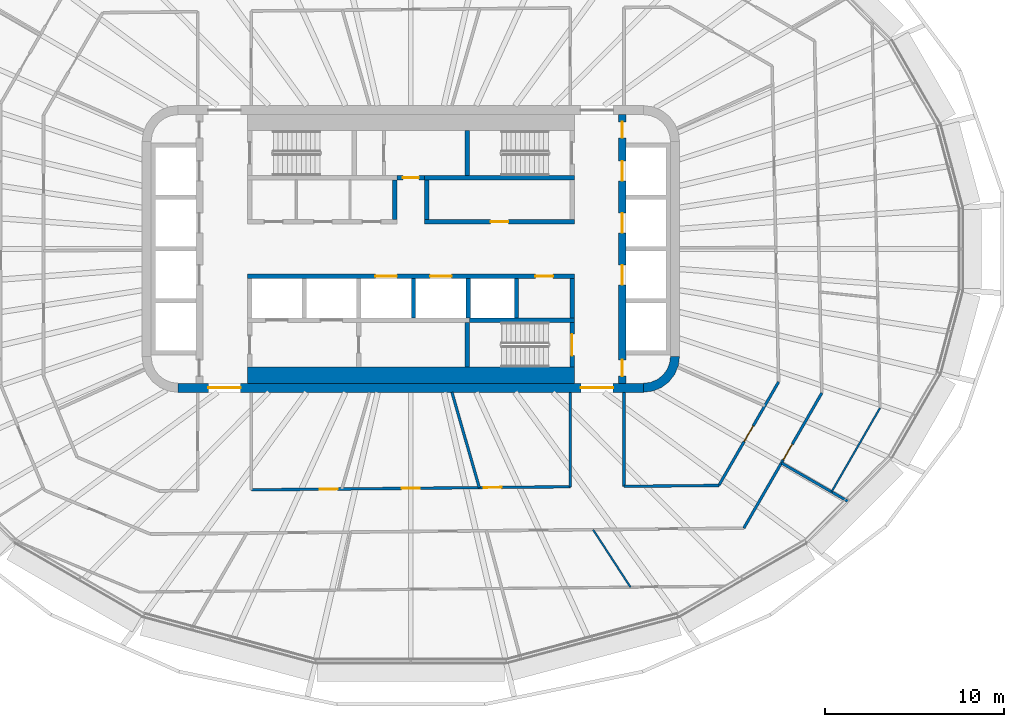
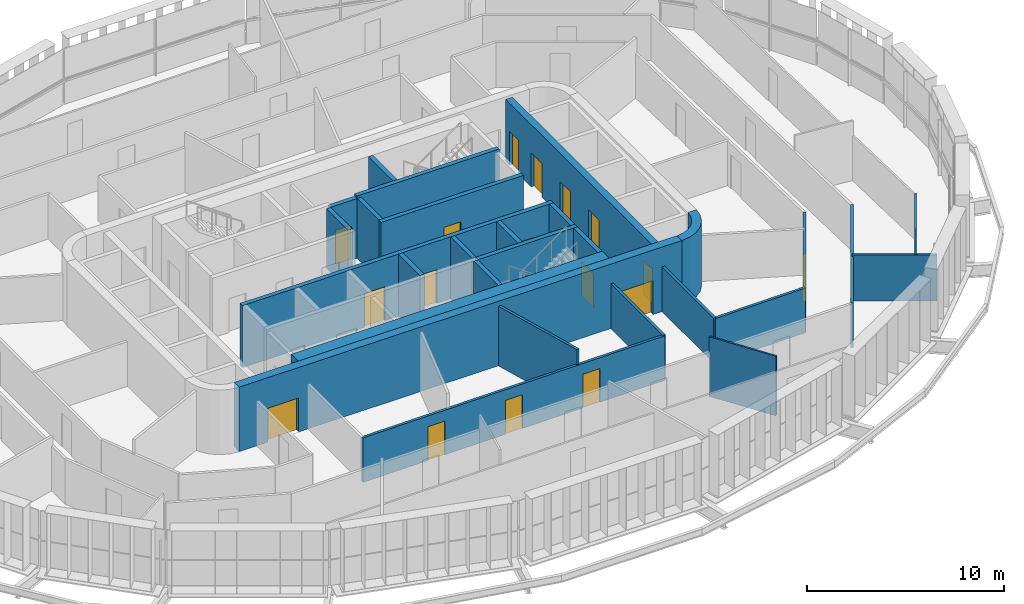
# One storey, part 12 of 22: 28 walls, 18 doors, 18 openings.
"""IFC4 building model written with IfcOpenShell, lengths in metres."""

from ifc_helpers import new_model, si_unit, direction, frame, frame_2d, origin, place, context, subcontext, project, spatial, polyline, rectangle, outline, extrude, material, layer, layer_set, type_object, element, fill, save


model = new_model("IFC4")

# Units and contexts
model_context = context("Model", 3, precision=1e-05, world=origin(), true_north=direction((0.0, 1.0)))
body_context = subcontext(model_context, "Body", "Model", "MODEL_VIEW")
ifc_project = project(units=[si_unit("LENGTHUNIT", "METRE"), si_unit("AREAUNIT", "SQUARE_METRE"), si_unit("VOLUMEUNIT", "CUBIC_METRE"), si_unit("PLANEANGLEUNIT", "RADIAN"), si_unit("MASSUNIT", "GRAM", prefix="KILO")], contexts=[model_context])

# Site, building, storey
site_placement = place(None, origin())
site = spatial("IfcSite", under=ifc_project, at=site_placement, CompositionType="ELEMENT")
building_placement = place(site_placement, origin())
building = spatial("IfcBuilding", under=site, at=building_placement, Name="Sahrelin Media Tower", CompositionType="ELEMENT")
storey_placement = place(building_placement, frame((0.0, 0.0, 189.60009765625)))
storey = spatial("IfcBuildingStorey", under=building, at=storey_placement, Name="L40", CompositionType="ELEMENT", Elevation=189.60009765625)

# Wall, openings, doors
ifc_material_1 = material(Name="Concrete C60/75", Category="concrete")
ifc_layer_1 = layer(ifc_material_1, 0.5)
ifc_layer_set_1 = layer_set([ifc_layer_1], Name="Core wall 500")
wall_type_1 = type_object("IfcWallType", Name="Core wall 500", PredefinedType="SHEAR", material=ifc_layer_set_1)
wall_1_placement = place(storey_placement, frame((-13.0, -7.75, 0.0), z_axis=(0.0, 0.0, 1.0), x_axis=(1.0, 0.0, 0.0)))
wall_1 = element("IfcWall", 1, at=wall_1_placement, inside=storey, type_object=wall_type_1, Name="Core wall S L40", PredefinedType="SHEAR", context=body_context, shape_type="SweptSolid", body=[
    extrude(rectangle(XDim=26.0, YDim=0.5, at=frame_2d((13.0, 0.0))), origin(), (0.0, 0.0, 1.0), 4.0),
])
opening_1_placement = place(wall_1_placement, frame((1.699951171875, 0.0, 0.0)))
opening_1 = element("IfcOpeningElement", 2, at=opening_1_placement, cuts=wall_1, Name="Opening L40-D19", PredefinedType="OPENING", context=body_context, shape_type="SweptSolid", body=[
    extrude(rectangle(XDim=1.800048828125, YDim=2.10009765625, at=frame_2d((0.89990234375, 1.050048828125))), frame((0.0, 0.25, 0.0), z_axis=(0.0, -1.0, 0.0), x_axis=(1.0, 0.0, 0.0)), (0.0, 0.0, 1.0), 0.5),
])
opening_2_placement = place(wall_1_placement, frame((22.5, 0.0, 0.0)))
opening_2 = element("IfcOpeningElement", 3, at=opening_2_placement, cuts=wall_1, Name="Opening L40-D20", PredefinedType="OPENING", context=body_context, shape_type="SweptSolid", body=[
    extrude(rectangle(XDim=1.800048828125, YDim=2.10009765625, at=frame_2d((0.89990234375, 1.050048828125))), frame((0.0, 0.25, 0.0), z_axis=(0.0, -1.0, 0.0), x_axis=(1.0, 0.0, 0.0)), (0.0, 0.0, 1.0), 0.5),
])
ifc_material_2 = material(Name="Steel fire door leaf", Category="steel")
door_type_1 = type_object("IfcDoorType", Name="Lobby double door 1800 x 2100 EI 60", OperationType="DOUBLE_DOOR_SINGLE_SWING", PredefinedType="DOOR", material=ifc_material_2)
door_1_placement = place(opening_1_placement, origin())
door_1 = element("IfcDoor", 4, at=door_1_placement, inside=storey, type_object=door_type_1, Name="Lobby door", OperationType="DOUBLE_DOOR_SINGLE_SWING", OverallHeight=2.10009765625, OverallWidth=1.800048828125, PredefinedType="DOOR", context=body_context, shape_type="SweptSolid", body=[
    extrude(rectangle(XDim=1.800048828125, YDim=2.10009765625, at=frame_2d((0.89990234375, 1.050048828125))), frame((0.0, 0.02490234375, 0.0), z_axis=(0.0, -1.0, 0.0), x_axis=(1.0, 0.0, 0.0)), (0.0, 0.0, 1.0), 0.050048828125),
])
fill(opening_1, door_1)
door_2_placement = place(opening_2_placement, origin())
door_2 = element("IfcDoor", 5, at=door_2_placement, inside=storey, type_object=door_type_1, Name="Lobby door", OperationType="DOUBLE_DOOR_SINGLE_SWING", OverallHeight=2.10009765625, OverallWidth=1.800048828125, PredefinedType="DOOR", context=body_context, shape_type="SweptSolid", body=[
    extrude(rectangle(XDim=1.800048828125, YDim=2.10009765625, at=frame_2d((0.89990234375, 1.050048828125))), frame((0.0, 0.02490234375, 0.0), z_axis=(0.0, -1.0, 0.0), x_axis=(1.0, 0.0, 0.0)), (0.0, 0.0, 1.0), 0.050048828125),
])
fill(opening_2, door_2)

# Wall
wall_2_placement = place(storey_placement, origin())
element("IfcWall", 6, at=wall_2_placement, inside=storey, type_object=wall_type_1, Name="Core wall corner SE L40", PredefinedType="SHEAR", context=body_context, shape_type="SweptSolid", body=[
    extrude(outline(polyline([(15.0, -6.0), (14.49560546875, -6.0), (14.44482421875, -6.38720703125), (14.29541015625, -6.747802734375), (14.0576171875, -7.0576171875), (13.747802734375, -7.29541015625), (13.38720703125, -7.44482421875), (13.0, -7.49560546875), (13.0, -8.0), (13.517578125, -7.931884765625), (14.0, -7.732177734375), (14.414306640625, -7.414306640625), (14.732177734375, -7.0), (14.931884765625, -6.517578125), (15.0, -6.0)])), origin(), (0.0, 0.0, 1.0), 4.0),
])

# Wall, opening, door
ifc_material_3 = material(Name="Fire-rated gypsum board partition")
ifc_layer_2 = layer(ifc_material_3, 0.25)
ifc_layer_set_2 = layer_set([ifc_layer_2], Name="Fire-rated lobby wall 250")
wall_type_2 = type_object("IfcWallType", Name="Fire-rated lobby wall 250", PredefinedType="PARTITIONING", material=ifc_layer_set_2)
wall_3_placement = place(storey_placement, frame((-0.77490234375, 3.97509765625, 0.0), z_axis=(0.0, 0.0, 1.0), x_axis=(1.0, 0.0, 0.0)))
wall_3 = element("IfcWall", 7, at=wall_3_placement, inside=storey, type_object=wall_type_2, Name="Core lobby wall", PredefinedType="PARTITIONING", context=body_context, shape_type="SweptSolid", body=[
    extrude(rectangle(XDim=1.5498046875, YDim=0.25, at=frame_2d((0.77490234375, 0.0))), origin(), (0.0, 0.0, 1.0), 3.699951171875),
])
opening_3_placement = place(wall_3_placement, frame((0.324951171875, 0.0, 0.0)))
opening_3 = element("IfcOpeningElement", 8, at=opening_3_placement, cuts=wall_3, Name="Opening L40-D06", PredefinedType="OPENING", context=body_context, shape_type="SweptSolid", body=[
    extrude(rectangle(XDim=0.89990234375, YDim=2.10009765625, at=frame_2d((0.449951171875, 1.050048828125))), frame((0.0, 0.125, 0.0), z_axis=(0.0, -1.0, 0.0), x_axis=(1.0, 0.0, 0.0)), (0.0, 0.0, 1.0), 0.25),
])
door_type_2 = type_object("IfcDoorType", Name="Riser door 900 x 2100 EI 120", OperationType="NOTDEFINED", PredefinedType="DOOR", material=ifc_material_2)
door_3_placement = place(opening_3_placement, origin())
door_3 = element("IfcDoor", 9, at=door_3_placement, inside=storey, type_object=door_type_2, Name="Core room door", OperationType="SINGLE_SWING_LEFT", OverallHeight=2.10009765625, OverallWidth=0.89990234375, PredefinedType="DOOR", context=body_context, shape_type="SweptSolid", body=[
    extrude(rectangle(XDim=0.89990234375, YDim=2.10009765625, at=frame_2d((0.449951171875, 1.050048828125))), frame((0.0, 0.02490234375, 0.0), z_axis=(0.0, -1.0, 0.0), x_axis=(1.0, 0.0, 0.0)), (0.0, 0.0, 1.0), 0.050048828125),
])
fill(opening_3, door_3)

wall_4_placement = place(storey_placement, frame((0.77490234375, 1.52490234375, 0.0), z_axis=(0.0, 0.0, 1.0), x_axis=(1.0, 0.0, 0.0)))
wall_4 = element("IfcWall", 10, at=wall_4_placement, inside=storey, type_object=wall_type_2, Name="Core lobby wall", PredefinedType="PARTITIONING", context=body_context, shape_type="SweptSolid", body=[
    extrude(rectangle(XDim=8.35009765625, YDim=0.25, at=frame_2d((4.175048828125, 0.0))), origin(), (0.0, 0.0, 1.0), 3.699951171875),
])
opening_4_placement = place(wall_4_placement, frame((3.675048828125, 0.0, 0.0)))
opening_4 = element("IfcOpeningElement", 11, at=opening_4_placement, cuts=wall_4, Name="Opening L40-D11", PredefinedType="OPENING", context=body_context, shape_type="SweptSolid", body=[
    extrude(rectangle(XDim=1.0, YDim=2.10009765625, at=frame_2d((0.5, 1.050048828125))), frame((0.0, 0.125, 0.0), z_axis=(0.0, -1.0, 0.0), x_axis=(1.0, 0.0, 0.0)), (0.0, 0.0, 1.0), 0.25),
])
door_type_3 = type_object("IfcDoorType", Name="Fire door 1000 x 2100 EI 60", OperationType="NOTDEFINED", PredefinedType="DOOR", material=ifc_material_2)
door_4_placement = place(opening_4_placement, origin())
door_4 = element("IfcDoor", 12, at=door_4_placement, inside=storey, type_object=door_type_3, Name="Core room door", OperationType="SINGLE_SWING_LEFT", OverallHeight=2.10009765625, OverallWidth=1.0, PredefinedType="DOOR", context=body_context, shape_type="SweptSolid", body=[
    extrude(rectangle(XDim=1.0, YDim=2.10009765625, at=frame_2d((0.5, 1.050048828125))), frame((0.0, 0.02490234375, 0.0), z_axis=(0.0, -1.0, 0.0), x_axis=(1.0, 0.0, 0.0)), (0.0, 0.0, 1.0), 0.050048828125),
])
fill(opening_4, door_4)

# Walls
for number, where, z_axis, x_axis, name in (
    (13, (-0.89990234375, 1.64990234375, 0.0), (0.0, 0.0, 1.0), (0.0, 1.0, 0.0), "Core lobby wall"),
    (14, (0.89990234375, 1.64990234375, 0.0), (0.0, 0.0, 1.0), (0.0, 1.0, 0.0), "Core lobby wall"),
):
    element("IfcWall", number, at=place(storey_placement, frame(where, z_axis=z_axis, x_axis=x_axis)), inside=storey, type_object=wall_type_2, Name=name, PredefinedType="PARTITIONING", context=body_context, shape_type="SweptSolid", body=[
        extrude(rectangle(XDim=2.2001953125, YDim=0.25, at=frame_2d((1.10009765625, 0.0))), origin(), (0.0, 0.0, 1.0), 3.699951171875),
    ])
ifc_layer_3 = layer(ifc_material_3, 0.14990234375)
ifc_layer_set_3 = layer_set([ifc_layer_3], Name="Fire-rated partition 150")
wall_type_3 = type_object("IfcWallType", Name="Fire-rated partition 150", PredefinedType="PARTITIONING", material=ifc_layer_set_3)
wall_5_placement = place(storey_placement, frame((2.2958984375, -8.0, 0.0), z_axis=(0.0, 0.0, 1.0), x_axis=(0.275935525478, -0.961176147113, 0.0)))
element("IfcWall", 15, at=wall_5_placement, inside=storey, type_object=wall_type_3, Name="Wall", PredefinedType="PARTITIONING", context=body_context, shape_type="SweptSolid", body=[
    extrude(rectangle(XDim=5.54833984375, YDim=0.14990234375, at=frame_2d((2.774169921875, 0.0))), origin(), (0.0, 0.0, 1.0), 3.699951171875),
])
wall_6_placement = place(storey_placement, frame((20.68994140625, -11.945068359375, 0.0), z_axis=(0.0, 0.0, 1.0), x_axis=(0.866048255864, -0.499960416948, 0.0)))
element("IfcWall", 16, at=wall_6_placement, inside=storey, type_object=wall_type_3, Name="Wall", PredefinedType="PARTITIONING", context=body_context, shape_type="SweptSolid", body=[
    extrude(rectangle(XDim=4.322021484375, YDim=0.14990234375, at=frame_2d((2.1611328125, 0.0))), origin(), (0.0, 0.0, 1.0), 2.844970703125),
])

# Wall, openings, doors
wall_7_placement = place(storey_placement, frame((-8.89990234375, -13.448974609375, 0.0), z_axis=(0.0, 0.0, 1.0), x_axis=(0.999951241216, 0.009874977968, 0.0)))
wall_7 = element("IfcWall", 17, at=wall_7_placement, inside=storey, type_object=wall_type_3, Name="Wall", PredefinedType="PARTITIONING", context=body_context, shape_type="SweptSolid", body=[
    extrude(rectangle(XDim=17.80078125, YDim=0.14990234375, at=frame_2d((8.900390625, 0.0))), origin(), (0.0, 0.0, 1.0), 2.76806640625),
])
opening_5_placement = place(wall_7_placement, frame((3.8173828125, 0.0, 0.0)))
opening_5 = element("IfcOpeningElement", 18, at=opening_5_placement, cuts=wall_7, Name="Opening L40-D21", PredefinedType="OPENING", context=body_context, shape_type="SweptSolid", body=[
    extrude(rectangle(XDim=1.0, YDim=2.10009765625, at=frame_2d((0.5, 1.050048828125))), frame((0.0, 0.074951171875, 0.0), z_axis=(0.0, -1.0, 0.0), x_axis=(1.0, 0.0, 0.0)), (0.0, 0.0, 1.0), 0.14990234375),
])
opening_6_placement = place(wall_7_placement, frame((8.39013671875, 0.0, 0.0)))
opening_6 = element("IfcOpeningElement", 19, at=opening_6_placement, cuts=wall_7, Name="Opening L40-D22", PredefinedType="OPENING", context=body_context, shape_type="SweptSolid", body=[
    extrude(rectangle(XDim=1.0, YDim=2.10009765625, at=frame_2d((0.5, 1.050048828125))), frame((0.0, 0.074951171875, 0.0), z_axis=(0.0, -1.0, 0.0), x_axis=(1.0, 0.0, 0.0)), (0.0, 0.0, 1.0), 0.14990234375),
])
opening_7_placement = place(wall_7_placement, frame((12.97412109375, 0.0, 0.0)))
opening_7 = element("IfcOpeningElement", 20, at=opening_7_placement, cuts=wall_7, Name="Opening L40-D23", PredefinedType="OPENING", context=body_context, shape_type="SweptSolid", body=[
    extrude(rectangle(XDim=1.0, YDim=2.10009765625, at=frame_2d((0.5, 1.050048828125))), frame((0.0, 0.074951171875, 0.0), z_axis=(0.0, -1.0, 0.0), x_axis=(1.0, 0.0, 0.0)), (0.0, 0.0, 1.0), 0.14990234375),
])
door_5_placement = place(opening_5_placement, origin())
door_5 = element("IfcDoor", 21, at=door_5_placement, inside=storey, type_object=door_type_3, Name="Fire door", OperationType="SINGLE_SWING_RIGHT", OverallHeight=2.10009765625, OverallWidth=1.0, PredefinedType="DOOR", context=body_context, shape_type="SweptSolid", body=[
    extrude(rectangle(XDim=1.0, YDim=2.10009765625, at=frame_2d((0.5, 1.050048828125))), frame((0.0, 0.02490234375, 0.0), z_axis=(0.0, -1.0, 0.0), x_axis=(1.0, 0.0, 0.0)), (0.0, 0.0, 1.0), 0.050048828125),
])
fill(opening_5, door_5)
door_6_placement = place(opening_6_placement, origin())
door_6 = element("IfcDoor", 22, at=door_6_placement, inside=storey, type_object=door_type_3, Name="Fire door", OperationType="SINGLE_SWING_RIGHT", OverallHeight=2.10009765625, OverallWidth=1.0, PredefinedType="DOOR", context=body_context, shape_type="SweptSolid", body=[
    extrude(rectangle(XDim=1.0, YDim=2.10009765625, at=frame_2d((0.5, 1.050048828125))), frame((0.0, 0.02490234375, 0.0), z_axis=(0.0, -1.0, 0.0), x_axis=(1.0, 0.0, 0.0)), (0.0, 0.0, 1.0), 0.050048828125),
])
fill(opening_6, door_6)
door_7_placement = place(opening_7_placement, origin())
door_7 = element("IfcDoor", 23, at=door_7_placement, inside=storey, type_object=door_type_3, Name="Fire door", OperationType="SINGLE_SWING_LEFT", OverallHeight=2.10009765625, OverallWidth=1.0, PredefinedType="DOOR", context=body_context, shape_type="SweptSolid", body=[
    extrude(rectangle(XDim=1.0, YDim=2.10009765625, at=frame_2d((0.5, 1.050048828125))), frame((0.0, 0.02490234375, 0.0), z_axis=(0.0, -1.0, 0.0), x_axis=(1.0, 0.0, 0.0)), (0.0, 0.0, 1.0), 0.050048828125),
])
fill(opening_7, door_7)

# Wall
wall_8_placement = place(storey_placement, frame((11.89990234375, -13.2529296875, 0.0), z_axis=(0.0, 0.0, 1.0), x_axis=(0.999951309192, 0.009868092237, 0.0)))
element("IfcWall", 24, at=wall_8_placement, inside=storey, type_object=wall_type_3, Name="Wall", PredefinedType="PARTITIONING", context=body_context, shape_type="SweptSolid", body=[
    extrude(rectangle(XDim=5.29443359375, YDim=0.14990234375, at=frame_2d((2.647216796875, 0.0))), origin(), (0.0, 0.0, 1.0), 2.77685546875),
])

# Wall, opening, door
wall_9_placement = place(storey_placement, frame((18.587158203125, -15.587158203125, 0.0), z_axis=(0.0, 0.0, 1.0), x_axis=(0.499960140076, 0.866048415699, 0.0)))
wall_9 = element("IfcWall", 25, at=wall_9_placement, inside=storey, type_object=wall_type_3, Name="Wall", PredefinedType="PARTITIONING", context=body_context, shape_type="SweptSolid", body=[
    extrude(rectangle(XDim=8.713623046875, YDim=0.14990234375, at=frame_2d((4.35693359375, 0.0))), origin(), (0.0, 0.0, 1.0), 2.77685546875),
])
opening_8_placement = place(wall_9_placement, frame((4.40966796875, 0.0, 0.0)))
opening_8 = element("IfcOpeningElement", 26, at=opening_8_placement, cuts=wall_9, Name="Opening L40-D35", PredefinedType="OPENING", context=body_context, shape_type="SweptSolid", body=[
    extrude(rectangle(XDim=1.0, YDim=2.10009765625, at=frame_2d((0.5, 1.050048828125))), frame((0.0, 0.074951171875, 0.0), z_axis=(0.0, -1.0, 0.0), x_axis=(1.0, 0.0, 0.0)), (0.0, 0.0, 1.0), 0.14990234375),
])
door_8_placement = place(opening_8_placement, origin())
door_8 = element("IfcDoor", 27, at=door_8_placement, inside=storey, type_object=door_type_3, Name="Fire door", OperationType="SINGLE_SWING_LEFT", OverallHeight=2.10009765625, OverallWidth=1.0, PredefinedType="DOOR", context=body_context, shape_type="SweptSolid", body=[
    extrude(rectangle(XDim=1.0, YDim=2.10009765625, at=frame_2d((0.5, 1.050048828125))), frame((0.0, 0.02490234375, 0.0), z_axis=(0.0, -1.0, 0.0), x_axis=(1.0, 0.0, 0.0)), (0.0, 0.0, 1.0), 0.050048828125),
])
fill(opening_8, door_8)

wall_10_placement = place(storey_placement, frame((17.194091796875, -13.200927734375, 0.0), z_axis=(0.0, 0.0, 1.0), x_axis=(0.499955744085, 0.866050953441, 0.0)))
wall_10 = element("IfcWall", 28, at=wall_10_placement, inside=storey, type_object=wall_type_3, Name="Wall", PredefinedType="PARTITIONING", context=body_context, shape_type="SweptSolid", body=[
    extrude(rectangle(XDim=6.67333984375, YDim=0.14990234375, at=frame_2d((3.336669921875, 0.0))), origin(), (0.0, 0.0, 1.0), 2.77685546875),
])
opening_9_placement = place(wall_10_placement, frame((2.834716796875, 0.0, 0.0)))
opening_9 = element("IfcOpeningElement", 29, at=opening_9_placement, cuts=wall_10, Name="Opening L40-D24", PredefinedType="OPENING", context=body_context, shape_type="SweptSolid", body=[
    extrude(rectangle(XDim=1.0, YDim=2.10009765625, at=frame_2d((0.5, 1.050048828125))), frame((0.0, 0.074951171875, 0.0), z_axis=(0.0, -1.0, 0.0), x_axis=(1.0, 0.0, 0.0)), (0.0, 0.0, 1.0), 0.14990234375),
])
door_9_placement = place(opening_9_placement, origin())
door_9 = element("IfcDoor", 30, at=door_9_placement, inside=storey, type_object=door_type_3, Name="Fire door", OperationType="SINGLE_SWING_RIGHT", OverallHeight=2.10009765625, OverallWidth=1.0, PredefinedType="DOOR", context=body_context, shape_type="SweptSolid", body=[
    extrude(rectangle(XDim=1.0, YDim=2.10009765625, at=frame_2d((0.5, 1.050048828125))), frame((0.0, 0.02490234375, 0.0), z_axis=(0.0, -1.0, 0.0), x_axis=(1.0, 0.0, 0.0)), (0.0, 0.0, 1.0), 0.050048828125),
])
fill(opening_9, door_9)

# Walls
wall_11_placement = place(storey_placement, frame((11.89990234375, -13.2529296875, 0.0), z_axis=(0.0, 0.0, 1.0), x_axis=(0.0, 1.0, 0.0)))
element("IfcWall", 31, at=wall_11_placement, inside=storey, type_object=wall_type_3, Name="Wall", PredefinedType="PARTITIONING", context=body_context, shape_type="SweptSolid", body=[
    extrude(rectangle(XDim=5.2529296875, YDim=0.14990234375, at=frame_2d((2.62646484375, 0.0))), origin(), (0.0, 0.0, 1.0), 2.77685546875),
])
wall_12_placement = place(storey_placement, frame((8.89990234375, -13.282958984375, 0.0), z_axis=(0.0, 0.0, 1.0), x_axis=(0.0, 1.0, 0.0)))
element("IfcWall", 32, at=wall_12_placement, inside=storey, type_object=wall_type_3, Name="Wall", PredefinedType="PARTITIONING", context=body_context, shape_type="SweptSolid", body=[
    extrude(rectangle(XDim=5.282958984375, YDim=0.14990234375, at=frame_2d((2.6416015625, 0.0))), origin(), (0.0, 0.0, 1.0), 2.77685546875),
])

# Wall, openings, doors
ifc_layer_4 = layer(ifc_material_1, 0.25)
ifc_layer_set_4 = layer_set([ifc_layer_4], Name="Lift shaft wall 250")
wall_type_4 = type_object("IfcWallType", Name="Lift shaft wall 250", PredefinedType="SOLIDWALL", material=ifc_layer_set_4)
wall_13_placement = place(storey_placement, frame((-9.125, -1.52490234375, 0.0), z_axis=(0.0, 0.0, 1.0), x_axis=(1.0, 0.0, 0.0)))
wall_13 = element("IfcWall", 33, at=wall_13_placement, inside=storey, type_object=wall_type_4, Name="Lift shaft wall", PredefinedType="SOLIDWALL", context=body_context, shape_type="SweptSolid", body=[
    extrude(rectangle(XDim=18.25, YDim=0.25, at=frame_2d((9.125, 0.0))), origin(), (0.0, 0.0, 1.0), 3.849853515625),
])
opening_10_placement = place(wall_13_placement, frame((7.14990234375, 0.0, 0.0)))
opening_10 = element("IfcOpeningElement", 34, at=opening_10_placement, cuts=wall_13, Name="Opening L40-LD-SV1", PredefinedType="OPENING", context=body_context, shape_type="SweptSolid", body=[
    extrude(rectangle(XDim=1.199951171875, YDim=2.10009765625, at=frame_2d((0.60009765625, 1.050048828125))), frame((0.0, 0.125, 0.0), z_axis=(0.0, -1.0, 0.0), x_axis=(1.0, 0.0, 0.0)), (0.0, 0.0, 1.0), 0.25),
])
opening_11_placement = place(wall_13_placement, frame((10.199951171875, 0.0, 0.0)))
opening_11 = element("IfcOpeningElement", 35, at=opening_11_placement, cuts=wall_13, Name="Opening L40-LD-SV2", PredefinedType="OPENING", context=body_context, shape_type="SweptSolid", body=[
    extrude(rectangle(XDim=1.199951171875, YDim=2.10009765625, at=frame_2d((0.60009765625, 1.050048828125))), frame((0.0, 0.125, 0.0), z_axis=(0.0, -1.0, 0.0), x_axis=(1.0, 0.0, 0.0)), (0.0, 0.0, 1.0), 0.25),
])
opening_12_placement = place(wall_13_placement, frame((16.074951171875, 0.0, 0.0)))
opening_12 = element("IfcOpeningElement", 36, at=opening_12_placement, cuts=wall_13, Name="Opening L40-D12", PredefinedType="OPENING", context=body_context, shape_type="SweptSolid", body=[
    extrude(rectangle(XDim=1.0, YDim=2.10009765625, at=frame_2d((0.5, 1.050048828125))), frame((0.0, 0.125, 0.0), z_axis=(0.0, -1.0, 0.0), x_axis=(1.0, 0.0, 0.0)), (0.0, 0.0, 1.0), 0.25),
])
door_10_placement = place(opening_12_placement, origin())
door_10 = element("IfcDoor", 37, at=door_10_placement, inside=storey, type_object=door_type_3, Name="Core room door", OperationType="SINGLE_SWING_RIGHT", OverallHeight=2.10009765625, OverallWidth=1.0, PredefinedType="DOOR", context=body_context, shape_type="SweptSolid", body=[
    extrude(rectangle(XDim=1.0, YDim=2.10009765625, at=frame_2d((0.5, 1.050048828125))), frame((0.0, 0.02490234375, 0.0), z_axis=(0.0, -1.0, 0.0), x_axis=(1.0, 0.0, 0.0)), (0.0, 0.0, 1.0), 0.050048828125),
])
fill(opening_12, door_10)
ifc_material_4 = material(Name="Stainless steel", Category="steel")
door_type_4 = type_object("IfcDoorType", Name="Lift landing door 1200 x 2100 EI 120", OperationType="DOUBLE_DOOR_SLIDING", PredefinedType="DOOR", material=ifc_material_4)
door_11_placement = place(opening_10_placement, origin())
door_11 = element("IfcDoor", 38, at=door_11_placement, inside=storey, type_object=door_type_4, Name="Lift landing door SV1", OperationType="DOUBLE_DOOR_SLIDING", OverallHeight=2.10009765625, OverallWidth=1.199951171875, PredefinedType="DOOR", context=body_context, shape_type="SweptSolid", body=[
    extrude(rectangle(XDim=1.199951171875, YDim=2.10009765625, at=frame_2d((0.60009765625, 1.050048828125))), frame((0.0, 0.02490234375, 0.0), z_axis=(0.0, -1.0, 0.0), x_axis=(1.0, 0.0, 0.0)), (0.0, 0.0, 1.0), 0.050048828125),
])
fill(opening_10, door_11)
door_12_placement = place(opening_11_placement, origin())
door_12 = element("IfcDoor", 39, at=door_12_placement, inside=storey, type_object=door_type_4, Name="Lift landing door SV2", OperationType="DOUBLE_DOOR_SLIDING", OverallHeight=2.10009765625, OverallWidth=1.199951171875, PredefinedType="DOOR", context=body_context, shape_type="SweptSolid", body=[
    extrude(rectangle(XDim=1.199951171875, YDim=2.10009765625, at=frame_2d((0.60009765625, 1.050048828125))), frame((0.0, 0.02490234375, 0.0), z_axis=(0.0, -1.0, 0.0), x_axis=(1.0, 0.0, 0.0)), (0.0, 0.0, 1.0), 0.050048828125),
])
fill(opening_11, door_12)

# Walls
wall_14_placement = place(storey_placement, frame((3.27490234375, -3.97509765625, 0.0), z_axis=(0.0, 0.0, 1.0), x_axis=(1.0, 0.0, 0.0)))
element("IfcWall", 40, at=wall_14_placement, inside=storey, type_object=wall_type_4, Name="Lift shaft wall", PredefinedType="SOLIDWALL", context=body_context, shape_type="SweptSolid", body=[
    extrude(rectangle(XDim=5.85009765625, YDim=0.25, at=frame_2d((2.925048828125, 0.0))), origin(), (0.0, 0.0, 1.0), 3.849853515625),
])
for number, where, z_axis, x_axis, name in (
    (41, (0.14990234375, -3.85009765625, 0.0), (0.0, 0.0, 1.0), (0.0, 1.0, 0.0), "Lift shaft wall"),
    (42, (3.199951171875, -3.85009765625, 0.0), (0.0, 0.0, 1.0), (0.0, 1.0, 0.0), "Lift shaft wall"),
    (43, (5.89990234375, -3.85009765625, 0.0), (0.0, 0.0, 1.0), (0.0, 1.0, 0.0), "Lift shaft wall"),
    (44, (9.0, -3.85009765625, 0.0), (0.0, 0.0, 1.0), (0.0, 1.0, 0.0), "Lift shaft wall"),
):
    element("IfcWall", number, at=place(storey_placement, frame(where, z_axis=z_axis, x_axis=x_axis)), inside=storey, type_object=wall_type_4, Name=name, PredefinedType="SOLIDWALL", context=body_context, shape_type="SweptSolid", body=[
        extrude(rectangle(XDim=2.2001953125, YDim=0.25, at=frame_2d((1.10009765625, 0.0))), origin(), (0.0, 0.0, 1.0), 3.849853515625),
    ])

# Wall, openings, doors
ifc_layer_5 = layer(ifc_material_1, 0.39990234375)
ifc_layer_set_5 = layer_set([ifc_layer_5], Name="Lift shaft wall 400")
wall_type_5 = type_object("IfcWallType", Name="Lift shaft wall 400", PredefinedType="SOLIDWALL", material=ifc_layer_set_5)
wall_15_placement = place(storey_placement, frame((11.800048828125, -7.5, 0.0), z_axis=(0.0, 0.0, 1.0), x_axis=(0.0, 1.0, 0.0)))
wall_15 = element("IfcWall", 45, at=wall_15_placement, inside=storey, type_object=wall_type_5, Name="Lift shaft wall", PredefinedType="SOLIDWALL", context=body_context, shape_type="SweptSolid", body=[
    extrude(rectangle(XDim=15.0, YDim=0.39990234375, at=frame_2d((7.5, 0.0))), origin(), (0.0, 0.0, 1.0), 3.849853515625),
])
opening_13_placement = place(wall_15_placement, frame((11.300048828125, 0.0, 0.0)))
opening_13 = element("IfcOpeningElement", 46, at=opening_13_placement, cuts=wall_15, Name="Opening L40-LD-LR4", PredefinedType="OPENING", context=body_context, shape_type="SweptSolid", body=[
    extrude(rectangle(XDim=1.10009765625, YDim=2.10009765625, at=frame_2d((0.550048828125, 1.050048828125))), frame((0.0, 0.199951171875, 0.0), z_axis=(0.0, -1.0, 0.0), x_axis=(1.0, 0.0, 0.0)), (0.0, 0.0, 1.0), 0.39990234375),
])
opening_14_placement = place(wall_15_placement, frame((8.39990234375, 0.0, 0.0)))
opening_14 = element("IfcOpeningElement", 47, at=opening_14_placement, cuts=wall_15, Name="Opening L40-LD-LR5", PredefinedType="OPENING", context=body_context, shape_type="SweptSolid", body=[
    extrude(rectangle(XDim=1.10009765625, YDim=2.10009765625, at=frame_2d((0.550048828125, 1.050048828125))), frame((0.0, 0.199951171875, 0.0), z_axis=(0.0, -1.0, 0.0), x_axis=(1.0, 0.0, 0.0)), (0.0, 0.0, 1.0), 0.39990234375),
])
opening_15_placement = place(wall_15_placement, frame((5.5, 0.0, 0.0)))
opening_15 = element("IfcOpeningElement", 48, at=opening_15_placement, cuts=wall_15, Name="Opening L40-LD-LR6", PredefinedType="OPENING", context=body_context, shape_type="SweptSolid", body=[
    extrude(rectangle(XDim=1.10009765625, YDim=2.10009765625, at=frame_2d((0.550048828125, 1.050048828125))), frame((0.0, 0.199951171875, 0.0), z_axis=(0.0, -1.0, 0.0), x_axis=(1.0, 0.0, 0.0)), (0.0, 0.0, 1.0), 0.39990234375),
])
opening_16_placement = place(wall_15_placement, frame((13.696533203125, 0.0, 0.0)))
opening_16 = element("IfcOpeningElement", 49, at=opening_16_placement, cuts=wall_15, Name="Opening L40-D15", PredefinedType="OPENING", context=body_context, shape_type="SweptSolid", body=[
    extrude(rectangle(XDim=0.89990234375, YDim=2.10009765625, at=frame_2d((0.449951171875, 1.050048828125))), frame((0.0, 0.199951171875, 0.0), z_axis=(0.0, -1.0, 0.0), x_axis=(1.0, 0.0, 0.0)), (0.0, 0.0, 1.0), 0.39990234375),
])
opening_17_placement = place(wall_15_placement, frame((0.4033203125, 0.0, 0.0)))
opening_17 = element("IfcOpeningElement", 50, at=opening_17_placement, cuts=wall_15, Name="Opening L40-D16", PredefinedType="OPENING", context=body_context, shape_type="SweptSolid", body=[
    extrude(rectangle(XDim=0.89990234375, YDim=2.10009765625, at=frame_2d((0.449951171875, 1.050048828125))), frame((0.0, 0.199951171875, 0.0), z_axis=(0.0, -1.0, 0.0), x_axis=(1.0, 0.0, 0.0)), (0.0, 0.0, 1.0), 0.39990234375),
])
door_type_5 = type_object("IfcDoorType", Name="Lift landing door 1100 x 2100 EI 120", OperationType="DOUBLE_DOOR_SLIDING", PredefinedType="DOOR", material=ifc_material_4)
door_13_placement = place(opening_13_placement, origin())
door_13 = element("IfcDoor", 51, at=door_13_placement, inside=storey, type_object=door_type_5, Name="Lift landing door LR4", OperationType="DOUBLE_DOOR_SLIDING", OverallHeight=2.10009765625, OverallWidth=1.10009765625, PredefinedType="DOOR", context=body_context, shape_type="SweptSolid", body=[
    extrude(rectangle(XDim=1.10009765625, YDim=2.10009765625, at=frame_2d((0.550048828125, 1.050048828125))), frame((0.0, 0.02490234375, 0.0), z_axis=(0.0, -1.0, 0.0), x_axis=(1.0, 0.0, 0.0)), (0.0, 0.0, 1.0), 0.050048828125),
])
fill(opening_13, door_13)
door_14_placement = place(opening_14_placement, origin())
door_14 = element("IfcDoor", 52, at=door_14_placement, inside=storey, type_object=door_type_5, Name="Lift landing door LR5", OperationType="DOUBLE_DOOR_SLIDING", OverallHeight=2.10009765625, OverallWidth=1.10009765625, PredefinedType="DOOR", context=body_context, shape_type="SweptSolid", body=[
    extrude(rectangle(XDim=1.10009765625, YDim=2.10009765625, at=frame_2d((0.550048828125, 1.050048828125))), frame((0.0, 0.02490234375, 0.0), z_axis=(0.0, -1.0, 0.0), x_axis=(1.0, 0.0, 0.0)), (0.0, 0.0, 1.0), 0.050048828125),
])
fill(opening_14, door_14)
door_15_placement = place(opening_15_placement, origin())
door_15 = element("IfcDoor", 53, at=door_15_placement, inside=storey, type_object=door_type_5, Name="Lift landing door LR6", OperationType="DOUBLE_DOOR_SLIDING", OverallHeight=2.10009765625, OverallWidth=1.10009765625, PredefinedType="DOOR", context=body_context, shape_type="SweptSolid", body=[
    extrude(rectangle(XDim=1.10009765625, YDim=2.10009765625, at=frame_2d((0.550048828125, 1.050048828125))), frame((0.0, 0.02490234375, 0.0), z_axis=(0.0, -1.0, 0.0), x_axis=(1.0, 0.0, 0.0)), (0.0, 0.0, 1.0), 0.050048828125),
])
fill(opening_15, door_15)
door_16_placement = place(opening_16_placement, origin())
door_16 = element("IfcDoor", 54, at=door_16_placement, inside=storey, type_object=door_type_2, Name="Riser door", OperationType="SINGLE_SWING_RIGHT", OverallHeight=2.10009765625, OverallWidth=0.89990234375, PredefinedType="DOOR", context=body_context, shape_type="SweptSolid", body=[
    extrude(rectangle(XDim=0.89990234375, YDim=2.10009765625, at=frame_2d((0.449951171875, 1.050048828125))), frame((0.0, 0.02490234375, 0.0), z_axis=(0.0, -1.0, 0.0), x_axis=(1.0, 0.0, 0.0)), (0.0, 0.0, 1.0), 0.050048828125),
])
fill(opening_16, door_16)
door_17_placement = place(opening_17_placement, origin())
door_17 = element("IfcDoor", 55, at=door_17_placement, inside=storey, type_object=door_type_2, Name="Riser door", OperationType="SINGLE_SWING_RIGHT", OverallHeight=2.10009765625, OverallWidth=0.89990234375, PredefinedType="DOOR", context=body_context, shape_type="SweptSolid", body=[
    extrude(rectangle(XDim=0.89990234375, YDim=2.10009765625, at=frame_2d((0.449951171875, 1.050048828125))), frame((0.0, 0.02490234375, 0.0), z_axis=(0.0, -1.0, 0.0), x_axis=(1.0, 0.0, 0.0)), (0.0, 0.0, 1.0), 0.050048828125),
])
fill(opening_17, door_17)

# Walls
ifc_material_5 = material(Name="Gypsum board partition")
ifc_layer_6 = layer(ifc_material_5, 0.10009765625)
ifc_layer_set_6 = layer_set([ifc_layer_6], Name="Partition 100")
wall_type_6 = type_object("IfcWallType", Name="Partition 100", PredefinedType="PARTITIONING", material=ifc_layer_set_6)
wall_16_placement = place(storey_placement, frame((10.177001953125, -15.6708984375, 0.0), z_axis=(0.0, 0.0, 1.0), x_axis=(0.544647409198, -0.838665129628, 0.0)))
element("IfcWall", 56, at=wall_16_placement, inside=storey, type_object=wall_type_6, Name="Wall", PredefinedType="PARTITIONING", context=body_context, shape_type="SweptSolid", body=[
    extrude(rectangle(XDim=3.826416015625, YDim=0.10009765625, at=frame_2d((1.9130859375, 0.0))), origin(), (0.0, 0.0, 1.0), 3.699951171875),
])
wall_17_placement = place(storey_placement, frame((23.487060546875, -13.56005859375, 0.0), z_axis=(0.0, 0.0, 1.0), x_axis=(0.500066272392, 0.86598713802, 0.0)))
element("IfcWall", 57, at=wall_17_placement, inside=storey, type_object=wall_type_6, Name="Wall", PredefinedType="PARTITIONING", context=body_context, shape_type="SweptSolid", body=[
    extrude(rectangle(XDim=5.408935546875, YDim=0.10009765625, at=frame_2d((2.70458984375, 0.0))), origin(), (0.0, 0.0, 1.0), 2.844970703125),
])

# Wall, opening, door
ifc_layer_7 = layer(ifc_material_1, 0.25)
ifc_layer_set_7 = layer_set([ifc_layer_7], Name="Stair enclosure wall 250")
wall_type_7 = type_object("IfcWallType", Name="Stair enclosure wall 250", PredefinedType="SOLIDWALL", material=ifc_layer_set_7)
wall_18_placement = place(storey_placement, frame((9.0, -6.60009765625, 0.0), z_axis=(0.0, 0.0, 1.0), x_axis=(0.0, 1.0, 0.0)))
wall_18 = element("IfcWall", 58, at=wall_18_placement, inside=storey, type_object=wall_type_7, Name="Stair enclosure wall", PredefinedType="SOLIDWALL", context=body_context, shape_type="SweptSolid", body=[
    extrude(rectangle(XDim=2.5, YDim=0.25, at=frame_2d((1.25, 0.0))), origin(), (0.0, 0.0, 1.0), 3.849853515625),
])
opening_18_placement = place(wall_18_placement, frame((0.64990234375, 0.0, 0.0)))
opening_18 = element("IfcOpeningElement", 59, at=opening_18_placement, cuts=wall_18, Name="Opening L40-D03", PredefinedType="OPENING", context=body_context, shape_type="SweptSolid", body=[
    extrude(rectangle(XDim=1.199951171875, YDim=2.10009765625, at=frame_2d((0.60009765625, 1.050048828125))), frame((0.0, 0.125, 0.0), z_axis=(0.0, -1.0, 0.0), x_axis=(1.0, 0.0, 0.0)), (0.0, 0.0, 1.0), 0.25),
])
door_type_6 = type_object("IfcDoorType", Name="Stair door 1200 x 2100 EI 120", OperationType="NOTDEFINED", PredefinedType="DOOR", material=ifc_material_2)
door_18_placement = place(opening_18_placement, origin())
door_18 = element("IfcDoor", 60, at=door_18_placement, inside=storey, type_object=door_type_6, Name="Stair door ST2", OperationType="SINGLE_SWING_LEFT", OverallHeight=2.10009765625, OverallWidth=1.199951171875, PredefinedType="DOOR", context=body_context, shape_type="SweptSolid", body=[
    extrude(rectangle(XDim=1.199951171875, YDim=2.10009765625, at=frame_2d((0.60009765625, 1.050048828125))), frame((0.0, 0.02490234375, 0.0), z_axis=(0.0, -1.0, 0.0), x_axis=(1.0, 0.0, 0.0)), (0.0, 0.0, 1.0), 0.050048828125),
])
fill(opening_18, door_18)

# Walls
for number, where, z_axis, x_axis, name in (
    (61, (3.14990234375, 4.10009765625, 0.0), (0.0, 0.0, 1.0), (0.0, 1.0, 0.0), "Stair enclosure wall"),
    (62, (3.14990234375, -6.60009765625, 0.0), (0.0, 0.0, 1.0), (0.0, 1.0, 0.0), "Stair enclosure wall"),
):
    element("IfcWall", number, at=place(storey_placement, frame(where, z_axis=z_axis, x_axis=x_axis)), inside=storey, type_object=wall_type_7, Name=name, PredefinedType="SOLIDWALL", context=body_context, shape_type="SweptSolid", body=[
        extrude(rectangle(XDim=2.5, YDim=0.25, at=frame_2d((1.25, 0.0))), origin(), (0.0, 0.0, 1.0), 3.849853515625),
    ])
wall_19_placement = place(storey_placement, frame((0.77490234375, 3.97509765625, 0.0), z_axis=(0.0, 0.0, 1.0), x_axis=(1.0, 0.0, 0.0)))
element("IfcWall", 63, at=wall_19_placement, inside=storey, type_object=wall_type_7, Name="Stair enclosure wall", PredefinedType="SOLIDWALL", context=body_context, shape_type="SweptSolid", body=[
    extrude(rectangle(XDim=8.35009765625, YDim=0.25, at=frame_2d((4.175048828125, 0.0))), origin(), (0.0, 0.0, 1.0), 3.849853515625),
])
ifc_layer_8 = layer(ifc_material_1, 0.89990234375)
ifc_layer_set_8 = layer_set([ifc_layer_8], Name="Stair enclosure wall 900")
wall_type_8 = type_object("IfcWallType", Name="Stair enclosure wall 900", PredefinedType="SOLIDWALL", material=ifc_layer_set_8)
wall_20_placement = place(storey_placement, frame((-9.125, -7.050048828125, 0.0), z_axis=(0.0, 0.0, 1.0), x_axis=(1.0, 0.0, 0.0)))
element("IfcWall", 64, at=wall_20_placement, inside=storey, type_object=wall_type_8, Name="Stair enclosure wall", PredefinedType="SOLIDWALL", context=body_context, shape_type="SweptSolid", body=[
    extrude(rectangle(XDim=18.25, YDim=0.89990234375, at=frame_2d((9.125, 0.0))), origin(), (0.0, 0.0, 1.0), 3.849853515625),
])

save(model, "model.ifc")
